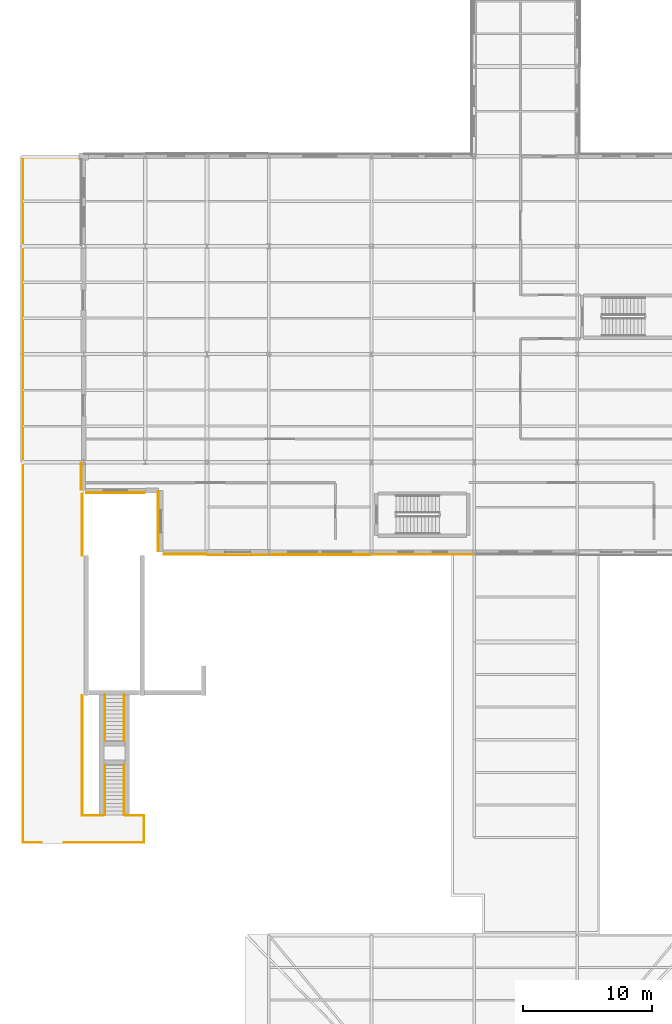
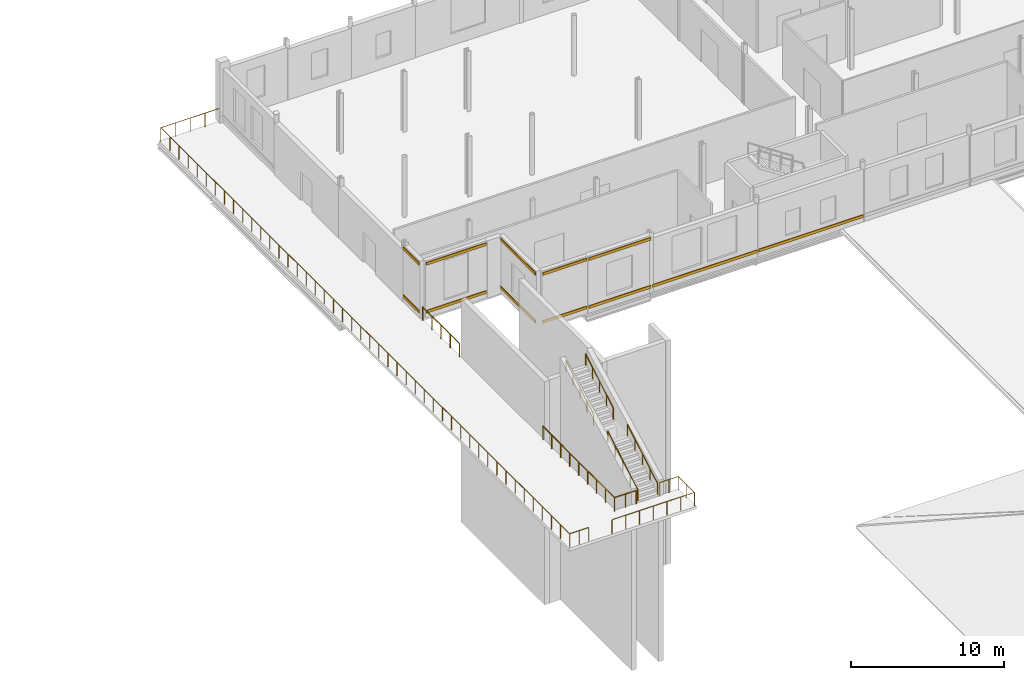
# One storey, part 106 of 120: 12 coverings, 9 railings.
"""IFC4 building model written with IfcOpenShell, lengths in metres."""

from ifc_helpers import new_model, si_unit, direction, frame, origin, origin_2d, place, context, subcontext, project, spatial, rectangle, circle, extrude, material, layer, layer_set, type_object, element, save


model = new_model("IFC4")

# Units and contexts
model_context = context("Model", 3, precision=1e-05, world=origin(), true_north=direction((0.0, 1.0)))
body_context = subcontext(model_context, "Body", "Model", "MODEL_VIEW")
ifc_project = project(units=[si_unit("LENGTHUNIT", "METRE"), si_unit("AREAUNIT", "SQUARE_METRE"), si_unit("VOLUMEUNIT", "CUBIC_METRE"), si_unit("PLANEANGLEUNIT", "RADIAN"), si_unit("MASSUNIT", "GRAM", prefix="KILO")], contexts=[model_context])

# Site, building, storey
site_placement = place(None, origin())
site = spatial("IfcSite", under=ifc_project, at=site_placement, CompositionType="ELEMENT")
building_placement = place(site_placement, origin())
building = spatial("IfcBuilding", under=site, at=building_placement, Name="Vekula Escarpment Museum", CompositionType="ELEMENT")
storey_placement = place(building_placement, frame((0.0, 0.0, 13.199951171875)))
storey = spatial("IfcBuildingStorey", under=building, at=storey_placement, Name="L03", CompositionType="ELEMENT", Elevation=13.199951171875)

# Coverings
ifc_material_1 = material(Name="Polychrome limestone almasik string-course band", Category="masonry")
ifc_layer = layer(ifc_material_1, 0.06005859375)
ifc_layer_set = layer_set([ifc_layer], Name="Polychrome limestone almasik string-course band")
covering_type = type_object("IfcCoveringType", Name="COV-ALM-BAND", PredefinedType="CLADDING", material=ifc_layer_set)
for number, where, z_axis, x_axis, name in (
    (1, (15.4140625, 55.0, 0.41015625), (0.0, 0.0, 1.0), (0.0, 1.0, 0.0), "Almasik Stone String Course L03-0498"),
    (2, (15.4140625, 55.0, 4.22998046875), (0.0, 0.0, 1.0), (0.0, 1.0, 0.0), "Almasik Stone String Course L03-0499"),
):
    element("IfcCovering", number, at=place(storey_placement, frame(where, z_axis=z_axis, x_axis=x_axis)), inside=storey, type_object=covering_type, Name=name, PredefinedType="CLADDING", context=body_context, shape_type="SweptSolid", body=[
        extrude(rectangle(XDim=4.679931640625, YDim=0.06005859375, at=origin_2d()), origin(), (0.0, 0.0, 1.0), 0.219970703125),
    ])
for number, where, z_axis, x_axis, name in (
    (3, (17.48193359375, 52.424072265625, 0.41015625), (0.0, 0.0, 1.0), (1.0, 0.0, 0.0), "Almasik Stone String Course L03-0500"),
    (4, (17.48193359375, 52.424072265625, 4.22998046875), (0.0, 0.0, 1.0), (1.0, 0.0, 0.0), "Almasik Stone String Course L03-0501"),
):
    element("IfcCovering", number, at=place(storey_placement, frame(where, z_axis=z_axis, x_axis=x_axis)), inside=storey, type_object=covering_type, Name=name, PredefinedType="CLADDING", context=body_context, shape_type="SweptSolid", body=[
        extrude(rectangle(XDim=3.31591796875, YDim=0.06005859375, at=origin_2d()), origin(), (0.0, 0.0, 1.0), 0.219970703125),
    ])
for number, where, z_axis, x_axis, name in (
    (5, (21.60009765625, 52.384033203125, 0.41015625), (0.0, 0.0, 1.0), (1.0, 0.0, 0.0), "Almasik Stone String Course L03-0502"),
    (6, (21.60009765625, 52.384033203125, 4.22998046875), (0.0, 0.0, 1.0), (1.0, 0.0, 0.0), "Almasik Stone String Course L03-0503"),
):
    element("IfcCovering", number, at=place(storey_placement, frame(where, z_axis=z_axis, x_axis=x_axis)), inside=storey, type_object=covering_type, Name=name, PredefinedType="CLADDING", context=body_context, shape_type="SweptSolid", body=[
        extrude(rectangle(XDim=4.679931640625, YDim=0.06005859375, at=origin_2d()), origin(), (0.0, 0.0, 1.0), 0.219970703125),
    ])
for number, where, z_axis, x_axis, name in (
    (7, (28.0, 52.39892578125, 0.41015625), (0.0, 0.0, 1.0), (1.0, 0.0, 0.0), "Almasik Stone String Course L03-0504"),
    (8, (36.0, 52.4140625, 0.41015625), (0.0, 0.0, 1.0), (1.0, 0.0, 0.0), "Almasik Stone String Course L03-0505"),
):
    element("IfcCovering", number, at=place(storey_placement, frame(where, z_axis=z_axis, x_axis=x_axis)), inside=storey, type_object=covering_type, Name=name, PredefinedType="CLADDING", context=body_context, shape_type="SweptSolid", body=[
        extrude(rectangle(XDim=7.8798828125, YDim=0.06005859375, at=origin_2d()), origin(), (0.0, 0.0, 1.0), 0.219970703125),
    ])
for number, where, z_axis, x_axis, name in (
    (9, (9.4140625, 58.5, 0.41015625), (0.0, 0.0, 1.0), (0.0, 1.0, 0.0), "Almasik Stone String Course L03-0571"),
    (10, (9.4140625, 58.5, 4.22998046875), (0.0, 0.0, 1.0), (0.0, 1.0, 0.0), "Almasik Stone String Course L03-0572"),
):
    element("IfcCovering", number, at=place(storey_placement, frame(where, z_axis=z_axis, x_axis=x_axis)), inside=storey, type_object=covering_type, Name=name, PredefinedType="CLADDING", context=body_context, shape_type="SweptSolid", body=[
        extrude(rectangle(XDim=2.080078125, YDim=0.06005859375, at=origin_2d()), origin(), (0.0, 0.0, 1.0), 0.219970703125),
    ])
for number, where, z_axis, x_axis, name in (
    (11, (12.08203125, 57.22412109375, 0.41015625), (0.0, 0.0, 1.0), (1.0, 0.0, 0.0), "Almasik Stone String Course L03-0573"),
    (12, (12.08203125, 57.22412109375, 4.22998046875), (0.0, 0.0, 1.0), (1.0, 0.0, 0.0), "Almasik Stone String Course L03-0574"),
):
    element("IfcCovering", number, at=place(storey_placement, frame(where, z_axis=z_axis, x_axis=x_axis)), inside=storey, type_object=covering_type, Name=name, PredefinedType="CLADDING", context=body_context, shape_type="SweptSolid", body=[
        extrude(rectangle(XDim=4.51611328125, YDim=0.06005859375, at=origin_2d()), origin(), (0.0, 0.0, 1.0), 0.219970703125),
    ])

# Railings
ifc_material_2 = material(Name="Brushed stainless steel handrail", Category="steel")
railing_type_1 = type_object("IfcRailingType", Name="RL-STAIR-HAND", PredefinedType="HANDRAIL", material=ifc_material_2)
for number, where, name in (
    (13, (11.260009765625, 32.14990234375, 0.177734375), "Escarpment Plinth Stair Handrail ST-AMP-S3-1L"),
    (14, (12.739990234375, 32.14990234375, 0.177734375), "Escarpment Plinth Stair Handrail ST-AMP-S3-1R"),
):
    element("IfcRailing", number, at=place(storey_placement, frame(where)), inside=storey, type_object=railing_type_1, Name=name, PredefinedType="HANDRAIL", context=body_context, shape_type="SweptSolid", body=[
        extrude(circle(Radius=0.02392578125, at=origin_2d()), frame((0.0, 0.0, 0.8759765625), z_axis=(0.0, 0.860283660771, 0.509815675525), x_axis=(-1.0, 0.0, 0.0)), (0.0, 0.0, 1.0), 4.533447265625),
        extrude(circle(Radius=0.02099609375, at=origin_2d()), origin(), (0.0, 0.0, 1.0), 0.851806640625),
        extrude(circle(Radius=0.02099609375, at=origin_2d()), frame((0.0, 0.97509765625, 0.577880859375)), (0.0, 0.0, 1.0), 0.851806640625),
        extrude(circle(Radius=0.02099609375, at=origin_2d()), frame((0.0, 1.9501953125, 1.15576171875)), (0.0, 0.0, 1.0), 0.851806640625),
        extrude(circle(Radius=0.02099609375, at=origin_2d()), frame((0.0, 2.925048828125, 1.7333984375)), (0.0, 0.0, 1.0), 0.851806640625),
        extrude(circle(Radius=0.02099609375, at=origin_2d()), frame((0.0, 3.900146484375, 2.311279296875)), (0.0, 0.0, 1.0), 0.851806640625),
    ])
for number, where, name in (
    (15, (11.260009765625, 37.89990234375, 2.666748046875), "Escarpment Plinth Stair Handrail ST-AMP-S3-2L"),
    (16, (12.739990234375, 37.89990234375, 2.666748046875), "Escarpment Plinth Stair Handrail ST-AMP-S3-2R"),
):
    element("IfcRailing", number, at=place(storey_placement, frame(where)), inside=storey, type_object=railing_type_1, Name=name, PredefinedType="HANDRAIL", context=body_context, shape_type="SweptSolid", body=[
        extrude(circle(Radius=0.02392578125, at=origin_2d()), frame((0.0, 0.0, 0.8759765625), z_axis=(0.0, 0.860301010247, 0.509786398178), x_axis=(-1.0, 0.0, 0.0)), (0.0, 0.0, 1.0), 4.184814453125),
        extrude(circle(Radius=0.02099609375, at=origin_2d()), origin(), (0.0, 0.0, 1.0), 0.851806640625),
        extrude(circle(Radius=0.02099609375, at=origin_2d()), frame((0.0, 0.89990234375, 0.533203125)), (0.0, 0.0, 1.0), 0.851806640625),
        extrude(circle(Radius=0.02099609375, at=origin_2d()), frame((0.0, 1.800048828125, 1.066650390625)), (0.0, 0.0, 1.0), 0.851806640625),
        extrude(circle(Radius=0.02099609375, at=origin_2d()), frame((0.0, 2.7001953125, 1.60009765625)), (0.0, 0.0, 1.0), 0.851806640625),
        extrude(circle(Radius=0.02099609375, at=origin_2d()), frame((0.0, 3.60009765625, 2.13330078125)), (0.0, 0.0, 1.0), 0.851806640625),
    ])
ifc_material_3 = material(Name="Bronze-coated Steel S355 balustrade", Category="steel")
railing_type_2 = type_object("IfcRailingType", Name="RL-TER-GUARD", PredefinedType="GUARDRAIL", material=ifc_material_3)
railing_1_placement = place(storey_placement, frame((4.889892578125, 30.0, 0.0)))
element("IfcRailing", 17, at=railing_1_placement, inside=storey, type_object=railing_type_2, Name="Terrace Balustrade L03-027", PredefinedType="GUARDRAIL", context=body_context, shape_type="SweptSolid", body=[
    extrude(circle(Radius=0.02392578125, at=origin_2d()), frame((0.0, 0.0, 1.076171875), z_axis=(0.0, 1.0, 0.0), x_axis=(-1.0, 0.0, 0.0)), (0.0, 0.0, 1.0), 53.31005859375),
    extrude(circle(Radius=0.02392578125, at=origin_2d()), frame((0.0, 53.31005859375, 1.076171875), z_axis=(1.0, 0.0, 0.0), x_axis=(0.0, 1.0, 0.0)), (0.0, 0.0, 1.0), 4.43017578125),
    extrude(circle(Radius=0.02099609375, at=origin_2d()), origin(), (0.0, 0.0, 1.0), 1.052001953125),
    extrude(circle(Radius=0.02099609375, at=origin_2d()), frame((0.0, 1.1845703125, 0.0)), (0.0, 0.0, 1.0), 1.052001953125),
    extrude(circle(Radius=0.02099609375, at=origin_2d()), frame((0.0, 2.369384765625, 0.0)), (0.0, 0.0, 1.0), 1.052001953125),
    extrude(circle(Radius=0.02099609375, at=origin_2d()), frame((0.0, 3.553955078125, 0.0)), (0.0, 0.0, 1.0), 1.052001953125),
    extrude(circle(Radius=0.02099609375, at=origin_2d()), frame((0.0, 4.73876953125, 0.0)), (0.0, 0.0, 1.0), 1.052001953125),
    extrude(circle(Radius=0.02099609375, at=origin_2d()), frame((0.0, 5.92333984375, 0.0)), (0.0, 0.0, 1.0), 1.052001953125),
    extrude(circle(Radius=0.02099609375, at=origin_2d()), frame((0.0, 7.10791015625, 0.0)), (0.0, 0.0, 1.0), 1.052001953125),
    extrude(circle(Radius=0.02099609375, at=origin_2d()), frame((0.0, 8.292724609375, 0.0)), (0.0, 0.0, 1.0), 1.052001953125),
    extrude(circle(Radius=0.02099609375, at=origin_2d()), frame((0.0, 9.477294921875, 0.0)), (0.0, 0.0, 1.0), 1.052001953125),
    extrude(circle(Radius=0.02099609375, at=origin_2d()), frame((0.0, 10.662109375, 0.0)), (0.0, 0.0, 1.0), 1.052001953125),
    extrude(circle(Radius=0.02099609375, at=origin_2d()), frame((0.0, 11.8466796875, 0.0)), (0.0, 0.0, 1.0), 1.052001953125),
    extrude(circle(Radius=0.02099609375, at=origin_2d()), frame((0.0, 13.03125, 0.0)), (0.0, 0.0, 1.0), 1.052001953125),
    extrude(circle(Radius=0.02099609375, at=origin_2d()), frame((0.0, 14.216064453125, 0.0)), (0.0, 0.0, 1.0), 1.052001953125),
    extrude(circle(Radius=0.02099609375, at=origin_2d()), frame((0.0, 15.400634765625, 0.0)), (0.0, 0.0, 1.0), 1.052001953125),
    extrude(circle(Radius=0.02099609375, at=origin_2d()), frame((0.0, 16.58544921875, 0.0)), (0.0, 0.0, 1.0), 1.052001953125),
    extrude(circle(Radius=0.02099609375, at=origin_2d()), frame((0.0, 17.77001953125, 0.0)), (0.0, 0.0, 1.0), 1.052001953125),
    extrude(circle(Radius=0.02099609375, at=origin_2d()), frame((0.0, 18.95458984375, 0.0)), (0.0, 0.0, 1.0), 1.052001953125),
    extrude(circle(Radius=0.02099609375, at=origin_2d()), frame((0.0, 20.139404296875, 0.0)), (0.0, 0.0, 1.0), 1.052001953125),
    extrude(circle(Radius=0.02099609375, at=origin_2d()), frame((0.0, 21.323974609375, 0.0)), (0.0, 0.0, 1.0), 1.052001953125),
    extrude(circle(Radius=0.02099609375, at=origin_2d()), frame((0.0, 22.5087890625, 0.0)), (0.0, 0.0, 1.0), 1.052001953125),
    extrude(circle(Radius=0.02099609375, at=origin_2d()), frame((0.0, 23.693359375, 0.0)), (0.0, 0.0, 1.0), 1.052001953125),
    extrude(circle(Radius=0.02099609375, at=origin_2d()), frame((0.0, 24.8779296875, 0.0)), (0.0, 0.0, 1.0), 1.052001953125),
    extrude(circle(Radius=0.02099609375, at=origin_2d()), frame((0.0, 26.062744140625, 0.0)), (0.0, 0.0, 1.0), 1.052001953125),
    extrude(circle(Radius=0.02099609375, at=origin_2d()), frame((0.0, 27.247314453125, 0.0)), (0.0, 0.0, 1.0), 1.052001953125),
    extrude(circle(Radius=0.02099609375, at=origin_2d()), frame((0.0, 28.43212890625, 0.0)), (0.0, 0.0, 1.0), 1.052001953125),
    extrude(circle(Radius=0.02099609375, at=origin_2d()), frame((0.0, 29.61669921875, 0.0)), (0.0, 0.0, 1.0), 1.052001953125),
    extrude(circle(Radius=0.02099609375, at=origin_2d()), frame((0.0, 30.80126953125, 0.0)), (0.0, 0.0, 1.0), 1.052001953125),
    extrude(circle(Radius=0.02099609375, at=origin_2d()), frame((0.0, 31.986083984375, 0.0)), (0.0, 0.0, 1.0), 1.052001953125),
    extrude(circle(Radius=0.02099609375, at=origin_2d()), frame((0.0, 33.170654296875, 0.0)), (0.0, 0.0, 1.0), 1.052001953125),
    extrude(circle(Radius=0.02099609375, at=origin_2d()), frame((0.0, 34.35546875, 0.0)), (0.0, 0.0, 1.0), 1.052001953125),
    extrude(circle(Radius=0.02099609375, at=origin_2d()), frame((0.0, 35.5400390625, 0.0)), (0.0, 0.0, 1.0), 1.052001953125),
    extrude(circle(Radius=0.02099609375, at=origin_2d()), frame((0.0, 36.724609375, 0.0)), (0.0, 0.0, 1.0), 1.052001953125),
    extrude(circle(Radius=0.02099609375, at=origin_2d()), frame((0.0, 37.909423828125, 0.0)), (0.0, 0.0, 1.0), 1.052001953125),
    extrude(circle(Radius=0.02099609375, at=origin_2d()), frame((0.0, 39.093994140625, 0.0)), (0.0, 0.0, 1.0), 1.052001953125),
    extrude(circle(Radius=0.02099609375, at=origin_2d()), frame((0.0, 40.27880859375, 0.0)), (0.0, 0.0, 1.0), 1.052001953125),
    extrude(circle(Radius=0.02099609375, at=origin_2d()), frame((0.0, 41.46337890625, 0.0)), (0.0, 0.0, 1.0), 1.052001953125),
    extrude(circle(Radius=0.02099609375, at=origin_2d()), frame((0.0, 42.64794921875, 0.0)), (0.0, 0.0, 1.0), 1.052001953125),
    extrude(circle(Radius=0.02099609375, at=origin_2d()), frame((0.0, 43.832763671875, 0.0)), (0.0, 0.0, 1.0), 1.052001953125),
    extrude(circle(Radius=0.02099609375, at=origin_2d()), frame((0.0, 45.017333984375, 0.0)), (0.0, 0.0, 1.0), 1.052001953125),
    extrude(circle(Radius=0.02099609375, at=origin_2d()), frame((0.0, 46.2021484375, 0.0)), (0.0, 0.0, 1.0), 1.052001953125),
    extrude(circle(Radius=0.02099609375, at=origin_2d()), frame((0.0, 47.38671875, 0.0)), (0.0, 0.0, 1.0), 1.052001953125),
    extrude(circle(Radius=0.02099609375, at=origin_2d()), frame((0.0, 48.5712890625, 0.0)), (0.0, 0.0, 1.0), 1.052001953125),
    extrude(circle(Radius=0.02099609375, at=origin_2d()), frame((0.0, 49.756103515625, 0.0)), (0.0, 0.0, 1.0), 1.052001953125),
    extrude(circle(Radius=0.02099609375, at=origin_2d()), frame((0.0, 50.940673828125, 0.0)), (0.0, 0.0, 1.0), 1.052001953125),
    extrude(circle(Radius=0.02099609375, at=origin_2d()), frame((0.0, 52.12548828125, 0.0)), (0.0, 0.0, 1.0), 1.052001953125),
    extrude(circle(Radius=0.02099609375, at=origin_2d()), frame((0.0, 53.31005859375, 0.0)), (0.0, 0.0, 1.0), 1.052001953125),
    extrude(circle(Radius=0.02099609375, at=origin_2d()), frame((1.107421875, 53.31005859375, 0.0)), (0.0, 0.0, 1.0), 1.052001953125),
    extrude(circle(Radius=0.02099609375, at=origin_2d()), frame((2.215087890625, 53.31005859375, 0.0)), (0.0, 0.0, 1.0), 1.052001953125),
    extrude(circle(Radius=0.02099609375, at=origin_2d()), frame((3.32275390625, 53.31005859375, 0.0)), (0.0, 0.0, 1.0), 1.052001953125),
    extrude(circle(Radius=0.02099609375, at=origin_2d()), frame((4.43017578125, 53.31005859375, 0.0)), (0.0, 0.0, 1.0), 1.052001953125),
])
railing_2_placement = place(storey_placement, frame((9.489990234375, 57.1201171875, 0.0)))
element("IfcRailing", 18, at=railing_2_placement, inside=storey, type_object=railing_type_2, Name="Terrace Balustrade L03-028", PredefinedType="GUARDRAIL", context=body_context, shape_type="SweptSolid", body=[
    extrude(circle(Radius=0.02392578125, at=origin_2d()), frame((0.0, 0.0, 1.076171875), z_axis=(0.0, -1.0, 0.0), x_axis=(1.0, 0.0, 0.0)), (0.0, 0.0, 1.0), 4.77001953125),
    extrude(circle(Radius=0.02099609375, at=origin_2d()), origin(), (0.0, 0.0, 1.0), 1.052001953125),
    extrude(circle(Radius=0.02099609375, at=origin_2d()), frame((0.0, -1.1923828125, 0.0)), (0.0, 0.0, 1.0), 1.052001953125),
    extrude(circle(Radius=0.02099609375, at=origin_2d()), frame((0.0, -2.385009765625, 0.0)), (0.0, 0.0, 1.0), 1.052001953125),
    extrude(circle(Radius=0.02099609375, at=origin_2d()), frame((0.0, -3.57763671875, 0.0)), (0.0, 0.0, 1.0), 1.052001953125),
    extrude(circle(Radius=0.02099609375, at=origin_2d()), frame((0.0, -4.77001953125, 0.0)), (0.0, 0.0, 1.0), 1.052001953125),
])
railing_3_placement = place(storey_placement, frame((9.489990234375, 41.4599609375, 0.0)))
element("IfcRailing", 19, at=railing_3_placement, inside=storey, type_object=railing_type_2, Name="Terrace Balustrade L03-029", PredefinedType="GUARDRAIL", context=body_context, shape_type="SweptSolid", body=[
    extrude(circle(Radius=0.02392578125, at=origin_2d()), frame((0.0, 0.0, 1.076171875), z_axis=(0.0, -1.0, 0.0), x_axis=(1.0, 0.0, 0.0)), (0.0, 0.0, 1.0), 9.35986328125),
    extrude(circle(Radius=0.02392578125, at=origin_2d()), frame((0.0, -9.35986328125, 1.076171875), z_axis=(1.0, 0.0, 0.0), x_axis=(0.0, 1.0, 0.0)), (0.0, 0.0, 1.0), 1.630126953125),
    extrude(circle(Radius=0.02099609375, at=origin_2d()), origin(), (0.0, 0.0, 1.0), 1.052001953125),
    extrude(circle(Radius=0.02099609375, at=origin_2d()), frame((0.0, -1.169921875, 0.0)), (0.0, 0.0, 1.0), 1.052001953125),
    extrude(circle(Radius=0.02099609375, at=origin_2d()), frame((0.0, -2.33984375, 0.0)), (0.0, 0.0, 1.0), 1.052001953125),
    extrude(circle(Radius=0.02099609375, at=origin_2d()), frame((0.0, -3.510009765625, 0.0)), (0.0, 0.0, 1.0), 1.052001953125),
    extrude(circle(Radius=0.02099609375, at=origin_2d()), frame((0.0, -4.679931640625, 0.0)), (0.0, 0.0, 1.0), 1.052001953125),
    extrude(circle(Radius=0.02099609375, at=origin_2d()), frame((0.0, -5.849853515625, 0.0)), (0.0, 0.0, 1.0), 1.052001953125),
    extrude(circle(Radius=0.02099609375, at=origin_2d()), frame((0.0, -7.02001953125, 0.0)), (0.0, 0.0, 1.0), 1.052001953125),
    extrude(circle(Radius=0.02099609375, at=origin_2d()), frame((0.0, -8.18994140625, 0.0)), (0.0, 0.0, 1.0), 1.052001953125),
    extrude(circle(Radius=0.02099609375, at=origin_2d()), frame((0.0, -9.35986328125, 0.0)), (0.0, 0.0, 1.0), 1.052001953125),
    extrude(circle(Radius=0.02099609375, at=origin_2d()), frame((0.81494140625, -9.35986328125, 0.0)), (0.0, 0.0, 1.0), 1.052001953125),
    extrude(circle(Radius=0.02099609375, at=origin_2d()), frame((1.630126953125, -9.35986328125, 0.0)), (0.0, 0.0, 1.0), 1.052001953125),
])
railing_4_placement = place(storey_placement, frame((12.8798828125, 32.10009765625, 0.0)))
element("IfcRailing", 20, at=railing_4_placement, inside=storey, type_object=railing_type_2, Name="Terrace Balustrade L03-030", PredefinedType="GUARDRAIL", context=body_context, shape_type="SweptSolid", body=[
    extrude(circle(Radius=0.02392578125, at=origin_2d()), frame((0.0, 0.0, 1.076171875), z_axis=(1.0, 0.0, 0.0), x_axis=(0.0, 1.0, 0.0)), (0.0, 0.0, 1.0), 1.41015625),
    extrude(circle(Radius=0.02392578125, at=origin_2d()), frame((1.41015625, 0.0, 1.076171875), z_axis=(0.0, -1.0, 0.0), x_axis=(1.0, 0.0, 0.0)), (0.0, 0.0, 1.0), 2.10009765625),
    extrude(circle(Radius=0.02392578125, at=origin_2d()), frame((1.41015625, -2.10009765625, 1.076171875), z_axis=(-1.0, 0.0, 0.0), x_axis=(0.0, -1.0, 0.0)), (0.0, 0.0, 1.0), 6.2099609375),
    extrude(circle(Radius=0.02099609375, at=origin_2d()), origin(), (0.0, 0.0, 1.0), 1.052001953125),
    extrude(circle(Radius=0.02099609375, at=origin_2d()), frame((0.705078125, 0.0, 0.0)), (0.0, 0.0, 1.0), 1.052001953125),
    extrude(circle(Radius=0.02099609375, at=origin_2d()), frame((1.41015625, 0.0, 0.0)), (0.0, 0.0, 1.0), 1.052001953125),
    extrude(circle(Radius=0.02099609375, at=origin_2d()), frame((1.41015625, -1.050048828125, 0.0)), (0.0, 0.0, 1.0), 1.052001953125),
    extrude(circle(Radius=0.02099609375, at=origin_2d()), frame((1.41015625, -2.10009765625, 0.0)), (0.0, 0.0, 1.0), 1.052001953125),
    extrude(circle(Radius=0.02099609375, at=origin_2d()), frame((0.375244140625, -2.10009765625, 0.0)), (0.0, 0.0, 1.0), 1.052001953125),
    extrude(circle(Radius=0.02099609375, at=origin_2d()), frame((-0.659912109375, -2.10009765625, 0.0)), (0.0, 0.0, 1.0), 1.052001953125),
    extrude(circle(Radius=0.02099609375, at=origin_2d()), frame((-1.69482421875, -2.10009765625, 0.0)), (0.0, 0.0, 1.0), 1.052001953125),
    extrude(circle(Radius=0.02099609375, at=origin_2d()), frame((-2.729736328125, -2.10009765625, 0.0)), (0.0, 0.0, 1.0), 1.052001953125),
    extrude(circle(Radius=0.02099609375, at=origin_2d()), frame((-3.764892578125, -2.10009765625, 0.0)), (0.0, 0.0, 1.0), 1.052001953125),
    extrude(circle(Radius=0.02099609375, at=origin_2d()), frame((-4.7998046875, -2.10009765625, 0.0)), (0.0, 0.0, 1.0), 1.052001953125),
])
railing_5_placement = place(storey_placement, frame((6.320068359375, 30.0, 0.0)))
element("IfcRailing", 21, at=railing_5_placement, inside=storey, type_object=railing_type_2, Name="Terrace Balustrade L03-031", PredefinedType="GUARDRAIL", context=body_context, shape_type="SweptSolid", body=[
    extrude(circle(Radius=0.02392578125, at=origin_2d()), frame((0.0, 0.0, 1.076171875), z_axis=(-1.0, 0.0, 0.0), x_axis=(0.0, -1.0, 0.0)), (0.0, 0.0, 1.0), 1.43017578125),
    extrude(circle(Radius=0.02099609375, at=origin_2d()), origin(), (0.0, 0.0, 1.0), 1.052001953125),
    extrude(circle(Radius=0.02099609375, at=origin_2d()), frame((-0.715087890625, 0.0, 0.0)), (0.0, 0.0, 1.0), 1.052001953125),
    extrude(circle(Radius=0.02099609375, at=origin_2d()), frame((-1.43017578125, 0.0, 0.0)), (0.0, 0.0, 1.0), 1.052001953125),
])

save(model, "model.ifc")
